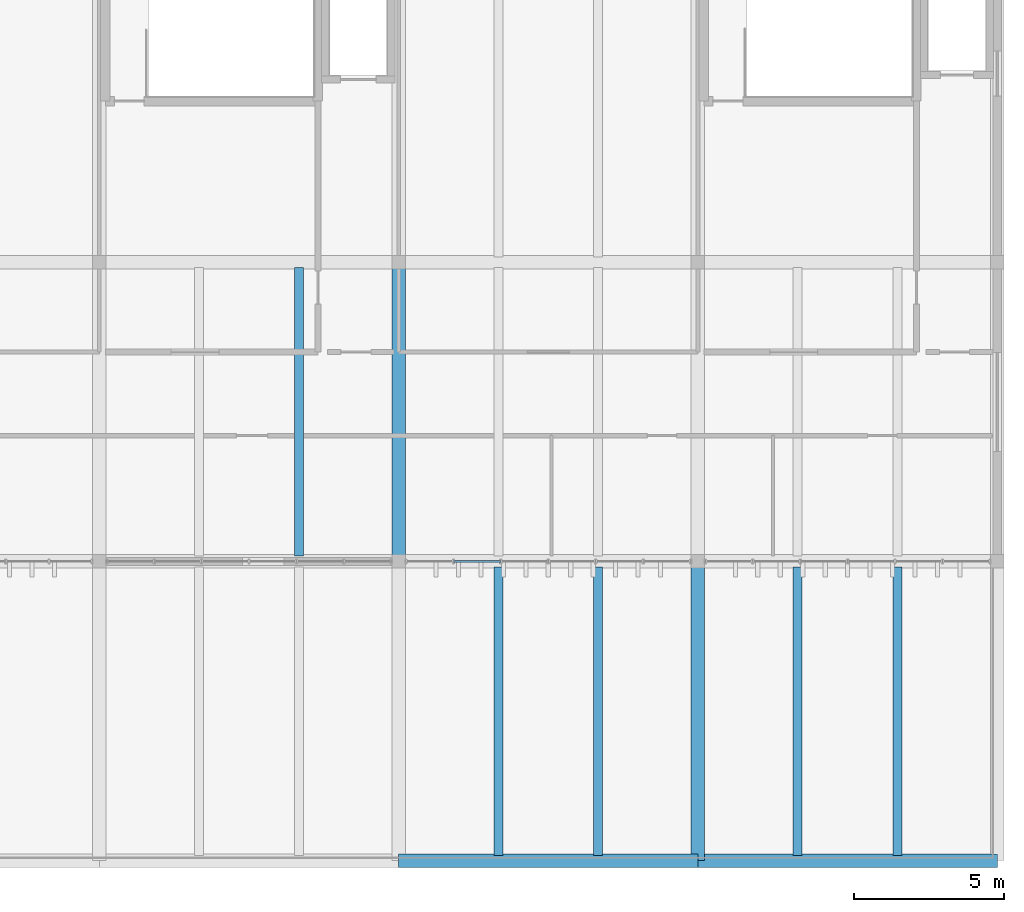
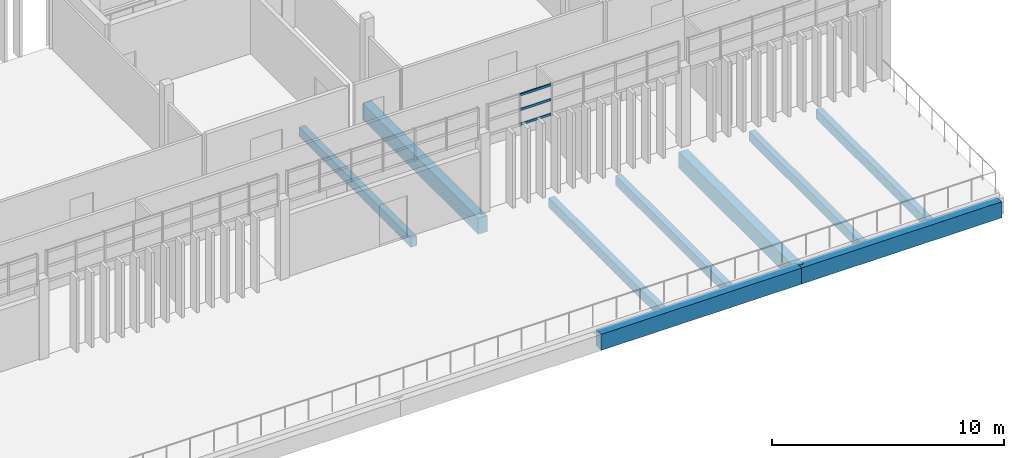
# One storey, part 18 of 36: 9 beams, 3 members, 1 element without a shape of its own.
"""IFC4 building model written with IfcOpenShell, lengths in metres."""

from ifc_helpers import new_model, si_unit, direction, frame, origin, origin_2d, place, context, subcontext, project, spatial, rectangle, hollow_rectangle, extrude, material, layer, layer_set, material_profile, profile_set, type_object, element, aggregate, save


model = new_model("IFC4")

# Units and contexts
model_context = context("Model", 3, precision=1e-05, world=origin(), true_north=direction((0.0, 1.0)))
body_context = subcontext(model_context, "Body", "Model", "MODEL_VIEW")
ifc_project = project(units=[si_unit("LENGTHUNIT", "METRE"), si_unit("AREAUNIT", "SQUARE_METRE"), si_unit("VOLUMEUNIT", "CUBIC_METRE"), si_unit("PLANEANGLEUNIT", "RADIAN"), si_unit("MASSUNIT", "GRAM", prefix="KILO")], contexts=[model_context])

# Site, building, storey
site_placement = place(None, origin())
site = spatial("IfcSite", under=ifc_project, at=site_placement, CompositionType="ELEMENT")
building_placement = place(site_placement, origin())
building = spatial("IfcBuilding", under=site, at=building_placement, Name="Mersad Railyard Sports Hall", CompositionType="ELEMENT")
storey_placement = place(building_placement, frame((0.0, 0.0, 21.60009765625)))
storey = spatial("IfcBuildingStorey", under=building, at=storey_placement, Name="L05", CompositionType="ELEMENT", Elevation=21.60009765625)

# Curtain wall, members
ifc_material_1 = material(Name="Aluminium 6063-T6", Category="aluminium")
ifc_layer = layer(ifc_material_1, 0.159912109375)
ifc_layer_set = layer_set([ifc_layer], Name="Aluminium 6063-T6")
curtain_wall_type = type_object("IfcCurtainWallType", Name="ARC-CW-CW50", PredefinedType="USERDEFINED", material=ifc_layer_set)
curtain_wall_placement = place(storey_placement, origin())
curtain_wall = element("IfcCurtainWall", 1, at=curtain_wall_placement, inside=storey, type_object=curtain_wall_type, Name="Curtain wall CW50-0134", ObjectType="CURTAIN WALL", PredefinedType="USERDEFINED")
ifc_material_profile_1 = material_profile(ifc_material_1, hollow_rectangle(XDim=0.06005859375, YDim=0.1201171875, WallThickness=0.00390625, at=origin_2d()), Name="AL TRANSOM 60x120x4")
ifc_profile_set_1 = profile_set([ifc_material_profile_1], Name="Aluminium 6063-T6")
member_type = type_object("IfcMemberType", Name="ARC-CW-TRN01", PredefinedType="USERDEFINED", material=ifc_profile_set_1)
member_1_placement = place(storey_placement, frame((104.39501953125, 95.0, 3.889892578125), z_axis=(-1.0, 0.0, 0.0), x_axis=(0.0, -1.0, 0.0)))
member_1 = element("IfcMember", 2, at=member_1_placement, type_object=member_type, Name="CW50 Transom 1-5", ObjectType="TRANSOM", PredefinedType="USERDEFINED", context=body_context, shape_type="SweptSolid", body=[
    extrude(hollow_rectangle(XDim=0.06005859375, YDim=0.1201171875, WallThickness=0.00390625, at=origin_2d()), origin(), (0.0, 0.0, 1.0), 1.544921875),
])
member_2_placement = place(storey_placement, frame((104.39501953125, 95.0, 4.664794921875), z_axis=(-1.0, 0.0, 0.0), x_axis=(0.0, -1.0, 0.0)))
member_2 = element("IfcMember", 3, at=member_2_placement, type_object=member_type, Name="CW50 Transom 2-5", ObjectType="TRANSOM", PredefinedType="USERDEFINED", context=body_context, shape_type="SweptSolid", body=[
    extrude(hollow_rectangle(XDim=0.06005859375, YDim=0.1201171875, WallThickness=0.00390625, at=origin_2d()), origin(), (0.0, 0.0, 1.0), 1.544921875),
])
member_3_placement = place(storey_placement, frame((104.39501953125, 95.0, 5.43994140625), z_axis=(-1.0, 0.0, 0.0), x_axis=(0.0, -1.0, 0.0)))
member_3 = element("IfcMember", 4, at=member_3_placement, type_object=member_type, Name="CW50 Transom 3-5", ObjectType="TRANSOM", PredefinedType="USERDEFINED", context=body_context, shape_type="SweptSolid", body=[
    extrude(hollow_rectangle(XDim=0.06005859375, YDim=0.1201171875, WallThickness=0.00390625, at=origin_2d()), origin(), (0.0, 0.0, 1.0), 1.544921875),
])
aggregate(curtain_wall, [member_1, member_2, member_3])

# Beams
ifc_material_2 = material(Name="Concrete C40/50", Category="concrete")
ifc_material_profile_2 = material_profile(ifc_material_2, rectangle(XDim=0.449951171875, YDim=0.85009765625, at=origin_2d()), Name="RC 450x850")
ifc_profile_set_2 = profile_set([ifc_material_profile_2], Name="Concrete C40/50")
beam_type_1 = type_object("IfcBeamType", Name="STR-BM-B02", PredefinedType="BEAM", material=ifc_profile_set_2)
for number, where, z_axis, x_axis, name in (
    (5, (101.0, 85.0, -0.775146484375), (1.0, 0.0, 0.0), (0.0, 1.0, 0.0), "Beam B02-1407"),
    (6, (111.0, 85.0, -0.775146484375), (1.0, 0.0, 0.0), (0.0, 1.0, 0.0), "Beam B02-1408"),
    (7, (101.0, 95.0, -0.775146484375), (0.0, 1.0, 0.0), (-1.0, 0.0, 0.0), "Beam B02-1440"),
    (8, (111.0, 85.0, -0.775146484375), (0.0, 1.0, 0.0), (-1.0, 0.0, 0.0), "Beam B02-1442"),
):
    element("IfcBeam", number, at=place(storey_placement, frame(where, z_axis=z_axis, x_axis=x_axis)), inside=storey, type_object=beam_type_1, Name=name, PredefinedType="BEAM", context=body_context, shape_type="SweptSolid", body=[
        extrude(rectangle(XDim=0.449951171875, YDim=0.85009765625, at=origin_2d()), origin(), (0.0, 0.0, 1.0), 10.0),
    ])
ifc_material_profile_3 = material_profile(ifc_material_2, rectangle(XDim=0.300048828125, YDim=0.5, at=origin_2d()), Name="RC 300x500")
ifc_profile_set_3 = profile_set([ifc_material_profile_3], Name="Concrete C40/50")
beam_type_2 = type_object("IfcBeamType", Name="STR-BM-LN01", PredefinedType="LINTEL", material=ifc_profile_set_3)
for number, where, z_axis, x_axis, name in (
    (9, (97.6669921875, 95.179931640625, -0.60009765625), (0.0, 1.0, 0.0), (-1.0, 0.0, 0.0), "Beam LN01-1468"),
    (10, (104.3330078125, 85.179931640625, -0.60009765625), (0.0, 1.0, 0.0), (-1.0, 0.0, 0.0), "Beam LN01-1469"),
    (11, (107.6669921875, 85.179931640625, -0.60009765625), (0.0, 1.0, 0.0), (-1.0, 0.0, 0.0), "Beam LN01-1470"),
    (12, (114.3330078125, 85.179931640625, -0.60009765625), (0.0, 1.0, 0.0), (-1.0, 0.0, 0.0), "Beam LN01-1475"),
    (13, (117.6669921875, 85.179931640625, -0.60009765625), (0.0, 1.0, 0.0), (-1.0, 0.0, 0.0), "Beam LN01-1476"),
):
    element("IfcBeam", number, at=place(storey_placement, frame(where, z_axis=z_axis, x_axis=x_axis)), inside=storey, type_object=beam_type_2, Name=name, PredefinedType="LINTEL", context=body_context, shape_type="SweptSolid", body=[
        extrude(rectangle(XDim=0.300048828125, YDim=0.5, at=origin_2d()), origin(), (0.0, 0.0, 1.0), 9.64013671875),
    ])

save(model, "model.ifc")
